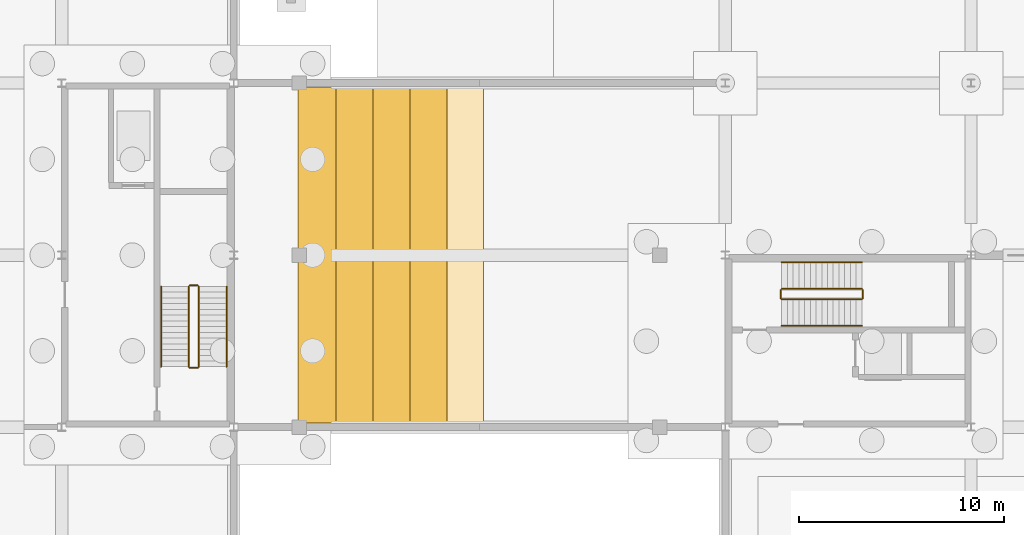
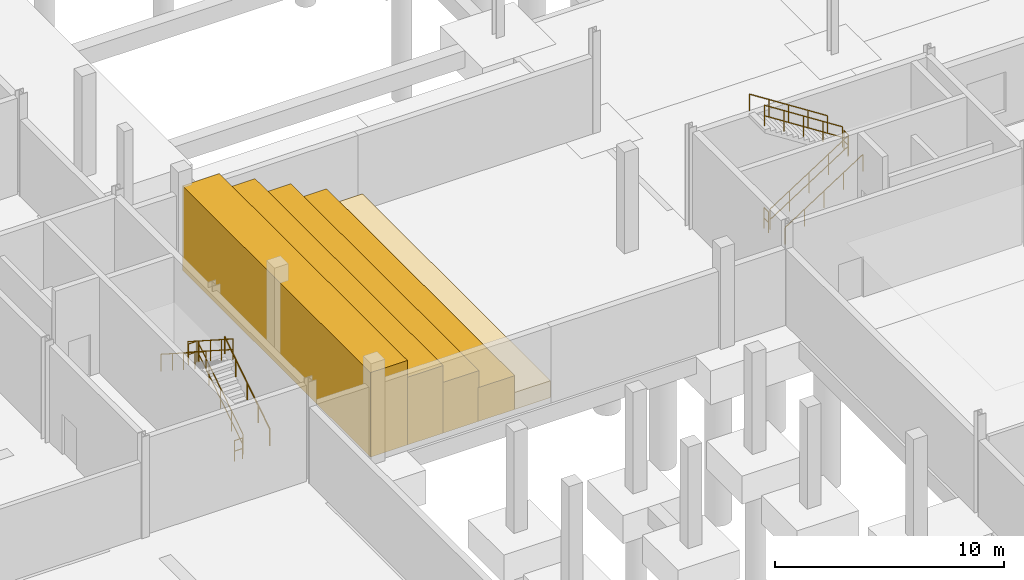
# One storey, part 32 of 36: 12 railings, 5 coverings.
"""IFC4 building model written with IfcOpenShell, lengths in metres."""

from ifc_helpers import new_model, si_unit, direction, frame, origin, origin_2d, place, context, subcontext, project, spatial, rectangle, circle, extrude, material, layer, layer_set, type_object, element, save


model = new_model("IFC4")

# Units and contexts
model_context = context("Model", 3, precision=1e-05, world=origin(), true_north=direction((0.0, 1.0)))
body_context = subcontext(model_context, "Body", "Model", "MODEL_VIEW")
ifc_project = project(units=[si_unit("LENGTHUNIT", "METRE"), si_unit("AREAUNIT", "SQUARE_METRE"), si_unit("VOLUMEUNIT", "CUBIC_METRE"), si_unit("PLANEANGLEUNIT", "RADIAN"), si_unit("MASSUNIT", "GRAM", prefix="KILO"), si_unit("THERMODYNAMICTEMPERATUREUNIT", "KELVIN"), si_unit("POWERUNIT", "WATT")], contexts=[model_context])

# Site, building, storey
site_placement = place(None, origin())
site = spatial("IfcSite", under=ifc_project, at=site_placement, CompositionType="ELEMENT")
building_placement = place(site_placement, origin())
building = spatial("IfcBuilding", under=site, at=building_placement, Name="Tembeka Court Mobility Hub", CompositionType="ELEMENT")
storey_placement = place(building_placement, frame((0.0, 0.0, -5.39990234375)))
storey = spatial("IfcBuildingStorey", under=building, at=storey_placement, Name="B1", CompositionType="ELEMENT", Elevation=-5.39990234375)

# Coverings
ifc_material_1 = material(Name="Honed Nairobi granite concourse flooring", Category="masonry")
ifc_layer = layer(ifc_material_1, 0.02001953125)
ifc_layer_set = layer_set([ifc_layer], Name="Honed Nairobi granite concourse flooring")
covering_type = type_object("IfcCoveringType", Name="COV-FL01", PredefinedType="FLOORING", material=ifc_layer_set)
covering_1_placement = place(storey_placement, frame((96.469970703125, 46.800048828125, 0.0), z_axis=(0.0, 0.0, 1.0), x_axis=(1.0, 0.0, 0.0)))
element("IfcCovering", 1, at=covering_1_placement, inside=storey, type_object=covering_type, Name="Sunken metro forecourt amphitheatre terrace tier CVF1-01", PredefinedType="FLOORING", context=body_context, shape_type="SweptSolid", body=[
    extrude(rectangle(XDim=1.860107421875, YDim=16.39990234375, at=origin_2d()), origin(), (0.0, 0.0, 1.0), 4.5),
])
covering_2_placement = place(storey_placement, frame((98.27001953125, 46.800048828125, -0.000244140625), z_axis=(0.0, 0.0, 1.0), x_axis=(1.0, 0.0, 0.0)))
element("IfcCovering", 2, at=covering_2_placement, inside=storey, type_object=covering_type, Name="Sunken metro forecourt amphitheatre terrace tier CVF1-02", PredefinedType="FLOORING", context=body_context, shape_type="SweptSolid", body=[
    extrude(rectangle(XDim=1.860107421875, YDim=16.39990234375, at=origin_2d()), origin(), (0.0, 0.0, 1.0), 3.60009765625),
])
covering_3_placement = place(storey_placement, frame((100.070068359375, 46.800048828125, 0.0), z_axis=(0.0, 0.0, 1.0), x_axis=(1.0, 0.0, 0.0)))
element("IfcCovering", 3, at=covering_3_placement, inside=storey, type_object=covering_type, Name="Sunken metro forecourt amphitheatre terrace tier CVF1-03", PredefinedType="FLOORING", context=body_context, shape_type="SweptSolid", body=[
    extrude(rectangle(XDim=1.860107421875, YDim=16.39990234375, at=origin_2d()), origin(), (0.0, 0.0, 1.0), 2.699951171875),
])
covering_4_placement = place(storey_placement, frame((101.8701171875, 46.800048828125, 0.0), z_axis=(0.0, 0.0, 1.0), x_axis=(1.0, 0.0, 0.0)))
element("IfcCovering", 4, at=covering_4_placement, inside=storey, type_object=covering_type, Name="Sunken metro forecourt amphitheatre terrace tier CVF1-04", PredefinedType="FLOORING", context=body_context, shape_type="SweptSolid", body=[
    extrude(rectangle(XDim=1.860107421875, YDim=16.39990234375, at=origin_2d()), origin(), (0.0, 0.0, 1.0), 1.800048828125),
])
covering_5_placement = place(storey_placement, frame((103.669921875, 46.800048828125, 0.0), z_axis=(0.0, 0.0, 1.0), x_axis=(1.0, 0.0, 0.0)))
element("IfcCovering", 5, at=covering_5_placement, inside=storey, type_object=covering_type, Name="Sunken metro forecourt amphitheatre terrace tier CVF1-05", PredefinedType="FLOORING", context=body_context, shape_type="SweptSolid", body=[
    extrude(rectangle(XDim=1.860107421875, YDim=16.39990234375, at=origin_2d()), origin(), (0.0, 0.0, 1.0), 0.89990234375),
])

# Railings
ifc_material_2 = material(Name="Painted galvanised steel balustrade", Category="steel")
railing_type_1 = type_object("IfcRailingType", Name="RL-GR01", PredefinedType="GUARDRAIL", material=ifc_material_2)
railing_1_placement = place(storey_placement, frame((90.699951171875, 41.35009765625, 0.179931640625)))
element("IfcRailing", 6, at=railing_1_placement, inside=storey, type_object=railing_type_1, Name="B1 ST04 stair guard 1-1", PredefinedType="GUARDRAIL", context=body_context, shape_type="SweptSolid", body=[
    extrude(circle(Radius=0.02392578125, at=origin_2d()), frame((0.0, 0.0, 1.09619140625), z_axis=(0.0, 0.841171666519, 0.540768182723), x_axis=(-1.0, 0.0, 0.0)), (0.0, 0.0, 1.0), 4.66015625),
    extrude(circle(Radius=0.02392578125, at=origin_2d()), frame((0.0, 0.0, 0.5361328125), z_axis=(0.0, 0.841171666519, 0.540768182723), x_axis=(-1.0, 0.0, 0.0)), (0.0, 0.0, 1.0), 4.66015625),
    extrude(circle(Radius=0.02099609375, at=origin_2d()), origin(), (0.0, 0.0, 1.0), 1.072021484375),
    extrude(circle(Radius=0.02099609375, at=origin_2d()), frame((0.0, 0.97998046875, 0.6298828125)), (0.0, 0.0, 1.0), 1.072021484375),
    extrude(circle(Radius=0.02099609375, at=origin_2d()), frame((0.0, 1.9599609375, 1.260009765625)), (0.0, 0.0, 1.0), 1.072021484375),
    extrude(circle(Radius=0.02099609375, at=origin_2d()), frame((0.0, 2.93994140625, 1.89013671875)), (0.0, 0.0, 1.0), 1.072021484375),
    extrude(circle(Radius=0.02099609375, at=origin_2d()), frame((0.0, 3.919921875, 2.52001953125)), (0.0, 0.0, 1.0), 1.072021484375),
])
railing_2_placement = place(storey_placement, frame((90.64990234375, 45.320068359375, 2.699951171875)))
element("IfcRailing", 7, at=railing_2_placement, inside=storey, type_object=railing_type_1, Name="B1 ST04 stair guard 2-1", PredefinedType="GUARDRAIL", context=body_context, shape_type="SweptSolid", body=[
    extrude(circle(Radius=0.02392578125, at=origin_2d()), frame((0.0, 0.0, 1.09619140625), z_axis=(-1.0, 0.0, 0.0), x_axis=(0.0, -1.0, 0.0)), (0.0, 0.0, 1.0), 0.39990234375),
    extrude(circle(Radius=0.02392578125, at=origin_2d()), frame((0.0, 0.0, 0.5361328125), z_axis=(-1.0, 0.0, 0.0), x_axis=(0.0, -1.0, 0.0)), (0.0, 0.0, 1.0), 0.39990234375),
    extrude(circle(Radius=0.02099609375, at=origin_2d()), origin(), (0.0, 0.0, 1.0), 1.072021484375),
    extrude(circle(Radius=0.02099609375, at=origin_2d()), frame((-0.39990234375, 0.0, 0.0)), (0.0, 0.0, 1.0), 1.072021484375),
])
railing_3_placement = place(storey_placement, frame((90.199951171875, 45.27001953125, 2.8798828125)))
element("IfcRailing", 8, at=railing_3_placement, inside=storey, type_object=railing_type_1, Name="B1 ST04 stair guard 3-1", PredefinedType="GUARDRAIL", context=body_context, shape_type="SweptSolid", body=[
    extrude(circle(Radius=0.02392578125, at=origin_2d()), frame((0.0, 0.0, 1.09619140625), z_axis=(0.0, -0.841171666519, 0.540768182723), x_axis=(1.0, 0.0, 0.0)), (0.0, 0.0, 1.0), 4.66015625),
    extrude(circle(Radius=0.02392578125, at=origin_2d()), frame((0.0, 0.0, 0.5361328125), z_axis=(0.0, -0.841171666519, 0.540768182723), x_axis=(1.0, 0.0, 0.0)), (0.0, 0.0, 1.0), 4.66015625),
    extrude(circle(Radius=0.02099609375, at=origin_2d()), origin(), (0.0, 0.0, 1.0), 1.072021484375),
    extrude(circle(Radius=0.02099609375, at=origin_2d()), frame((0.0, -0.97998046875, 0.6298828125)), (0.0, 0.0, 1.0), 1.072021484375),
    extrude(circle(Radius=0.02099609375, at=origin_2d()), frame((0.0, -1.9599609375, 1.260009765625)), (0.0, 0.0, 1.0), 1.072021484375),
    extrude(circle(Radius=0.02099609375, at=origin_2d()), frame((0.0, -2.93994140625, 1.89013671875)), (0.0, 0.0, 1.0), 1.072021484375),
    extrude(circle(Radius=0.02099609375, at=origin_2d()), frame((0.0, -3.919921875, 2.52001953125)), (0.0, 0.0, 1.0), 1.072021484375),
])
railing_4_placement = place(storey_placement, frame((90.64990234375, 41.300048828125, 0.0)))
element("IfcRailing", 9, at=railing_4_placement, inside=storey, type_object=railing_type_1, Name="B1 ST04 stair guard 4-1", PredefinedType="GUARDRAIL", context=body_context, shape_type="SweptSolid", body=[
    extrude(circle(Radius=0.02392578125, at=origin_2d()), frame((0.0, 0.0, 1.09619140625), z_axis=(-1.0, 0.0, 0.0), x_axis=(0.0, -1.0, 0.0)), (0.0, 0.0, 1.0), 0.39990234375),
    extrude(circle(Radius=0.02392578125, at=origin_2d()), frame((0.0, 0.0, 0.5361328125), z_axis=(-1.0, 0.0, 0.0), x_axis=(0.0, -1.0, 0.0)), (0.0, 0.0, 1.0), 0.39990234375),
    extrude(circle(Radius=0.02099609375, at=origin_2d()), origin(), (0.0, 0.0, 1.0), 1.072021484375),
    extrude(circle(Radius=0.02099609375, at=origin_2d()), frame((-0.39990234375, 0.0, 0.0)), (0.0, 0.0, 1.0), 1.072021484375),
])
railing_5_placement = place(storey_placement, frame((119.14990234375, 44.64990234375, 0.179931640625)))
element("IfcRailing", 10, at=railing_5_placement, inside=storey, type_object=railing_type_1, Name="B1 ST05 stair guard 1-1", PredefinedType="GUARDRAIL", context=body_context, shape_type="SweptSolid", body=[
    extrude(circle(Radius=0.02392578125, at=origin_2d()), frame((0.0, 0.0, 1.09619140625), z_axis=(0.841186985886, 0.0, 0.540744352514), x_axis=(0.0, 1.0, 0.0)), (0.0, 0.0, 1.0), 4.660400390625),
    extrude(circle(Radius=0.02392578125, at=origin_2d()), frame((0.0, 0.0, 0.5361328125), z_axis=(0.841186985886, 0.0, 0.540744352514), x_axis=(0.0, 1.0, 0.0)), (0.0, 0.0, 1.0), 4.660400390625),
    extrude(circle(Radius=0.02099609375, at=origin_2d()), origin(), (0.0, 0.0, 1.0), 1.072021484375),
    extrude(circle(Radius=0.02099609375, at=origin_2d()), frame((0.97998046875, 0.0, 0.6298828125)), (0.0, 0.0, 1.0), 1.072021484375),
    extrude(circle(Radius=0.02099609375, at=origin_2d()), frame((1.9599609375, 0.0, 1.260009765625)), (0.0, 0.0, 1.0), 1.072021484375),
    extrude(circle(Radius=0.02099609375, at=origin_2d()), frame((2.940185546875, 0.0, 1.89013671875)), (0.0, 0.0, 1.0), 1.072021484375),
    extrude(circle(Radius=0.02099609375, at=origin_2d()), frame((3.920166015625, 0.0, 2.52001953125)), (0.0, 0.0, 1.0), 1.072021484375),
])
railing_6_placement = place(storey_placement, frame((123.1201171875, 44.699951171875, 2.699951171875)))
element("IfcRailing", 11, at=railing_6_placement, inside=storey, type_object=railing_type_1, Name="B1 ST05 stair guard 2-1", PredefinedType="GUARDRAIL", context=body_context, shape_type="SweptSolid", body=[
    extrude(circle(Radius=0.02392578125, at=origin_2d()), frame((0.0, 0.0, 1.09619140625), z_axis=(0.0, 1.0, 0.0), x_axis=(-1.0, 0.0, 0.0)), (0.0, 0.0, 1.0), 0.400146484375),
    extrude(circle(Radius=0.02392578125, at=origin_2d()), frame((0.0, 0.0, 0.5361328125), z_axis=(0.0, 1.0, 0.0), x_axis=(-1.0, 0.0, 0.0)), (0.0, 0.0, 1.0), 0.400146484375),
    extrude(circle(Radius=0.02099609375, at=origin_2d()), origin(), (0.0, 0.0, 1.0), 1.072021484375),
    extrude(circle(Radius=0.02099609375, at=origin_2d()), frame((0.0, 0.400146484375, 0.0)), (0.0, 0.0, 1.0), 1.072021484375),
])
railing_7_placement = place(storey_placement, frame((123.070068359375, 45.14990234375, 2.8798828125)))
element("IfcRailing", 12, at=railing_7_placement, inside=storey, type_object=railing_type_1, Name="B1 ST05 stair guard 3-1", PredefinedType="GUARDRAIL", context=body_context, shape_type="SweptSolid", body=[
    extrude(circle(Radius=0.02392578125, at=origin_2d()), frame((0.0, 0.0, 1.09619140625), z_axis=(-0.841186985886, 0.0, 0.540744352514), x_axis=(0.0, -1.0, 0.0)), (0.0, 0.0, 1.0), 4.660400390625),
    extrude(circle(Radius=0.02392578125, at=origin_2d()), frame((0.0, 0.0, 0.5361328125), z_axis=(-0.841186985886, 0.0, 0.540744352514), x_axis=(0.0, -1.0, 0.0)), (0.0, 0.0, 1.0), 4.660400390625),
    extrude(circle(Radius=0.02099609375, at=origin_2d()), origin(), (0.0, 0.0, 1.0), 1.072021484375),
    extrude(circle(Radius=0.02099609375, at=origin_2d()), frame((-0.97998046875, 0.0, 0.6298828125)), (0.0, 0.0, 1.0), 1.072021484375),
    extrude(circle(Radius=0.02099609375, at=origin_2d()), frame((-1.9599609375, 0.0, 1.260009765625)), (0.0, 0.0, 1.0), 1.072021484375),
    extrude(circle(Radius=0.02099609375, at=origin_2d()), frame((-2.940185546875, 0.0, 1.89013671875)), (0.0, 0.0, 1.0), 1.072021484375),
    extrude(circle(Radius=0.02099609375, at=origin_2d()), frame((-3.920166015625, 0.0, 2.52001953125)), (0.0, 0.0, 1.0), 1.072021484375),
])
railing_8_placement = place(storey_placement, frame((119.10009765625, 44.699951171875, 0.0)))
element("IfcRailing", 13, at=railing_8_placement, inside=storey, type_object=railing_type_1, Name="B1 ST05 stair guard 4-1", PredefinedType="GUARDRAIL", context=body_context, shape_type="SweptSolid", body=[
    extrude(circle(Radius=0.02392578125, at=origin_2d()), frame((0.0, 0.0, 1.09619140625), z_axis=(0.0, 1.0, 0.0), x_axis=(-1.0, 0.0, 0.0)), (0.0, 0.0, 1.0), 0.400146484375),
    extrude(circle(Radius=0.02392578125, at=origin_2d()), frame((0.0, 0.0, 0.5361328125), z_axis=(0.0, 1.0, 0.0), x_axis=(-1.0, 0.0, 0.0)), (0.0, 0.0, 1.0), 0.400146484375),
    extrude(circle(Radius=0.02099609375, at=origin_2d()), origin(), (0.0, 0.0, 1.0), 1.072021484375),
    extrude(circle(Radius=0.02099609375, at=origin_2d()), frame((0.0, 0.400146484375, 0.0)), (0.0, 0.0, 1.0), 1.072021484375),
])
ifc_material_3 = material(Name="Brushed stainless steel handrail", Category="steel")
railing_type_2 = type_object("IfcRailingType", Name="RL-HR01", PredefinedType="HANDRAIL", material=ifc_material_3)
railing_9_placement = place(storey_placement, frame((92.050048828125, 41.35009765625, 0.179931640625)))
element("IfcRailing", 14, at=railing_9_placement, inside=storey, type_object=railing_type_2, Name="B1 ST04 handrail 1-1", PredefinedType="HANDRAIL", context=body_context, shape_type="SweptSolid", body=[
    extrude(circle(Radius=0.02392578125, at=origin_2d()), frame((0.0, 0.0, 0.89599609375), z_axis=(0.0, 0.841171666519, 0.540768182723), x_axis=(-1.0, 0.0, 0.0)), (0.0, 0.0, 1.0), 4.66015625),
    extrude(circle(Radius=0.02099609375, at=origin_2d()), origin(), (0.0, 0.0, 1.0), 0.871826171875),
    extrude(circle(Radius=0.02099609375, at=origin_2d()), frame((0.0, 0.97998046875, 0.6298828125)), (0.0, 0.0, 1.0), 0.871826171875),
    extrude(circle(Radius=0.02099609375, at=origin_2d()), frame((0.0, 1.9599609375, 1.260009765625)), (0.0, 0.0, 1.0), 0.871826171875),
    extrude(circle(Radius=0.02099609375, at=origin_2d()), frame((0.0, 2.93994140625, 1.89013671875)), (0.0, 0.0, 1.0), 0.871826171875),
    extrude(circle(Radius=0.02099609375, at=origin_2d()), frame((0.0, 3.919921875, 2.52001953125)), (0.0, 0.0, 1.0), 0.871826171875),
])
railing_10_placement = place(storey_placement, frame((88.85009765625, 45.27001953125, 2.8798828125)))
element("IfcRailing", 15, at=railing_10_placement, inside=storey, type_object=railing_type_2, Name="B1 ST04 handrail 2-1", PredefinedType="HANDRAIL", context=body_context, shape_type="SweptSolid", body=[
    extrude(circle(Radius=0.02392578125, at=origin_2d()), frame((0.0, 0.0, 0.89599609375), z_axis=(0.0, -0.841171666519, 0.540768182723), x_axis=(1.0, 0.0, 0.0)), (0.0, 0.0, 1.0), 4.66015625),
    extrude(circle(Radius=0.02099609375, at=origin_2d()), origin(), (0.0, 0.0, 1.0), 0.871826171875),
    extrude(circle(Radius=0.02099609375, at=origin_2d()), frame((0.0, -0.97998046875, 0.6298828125)), (0.0, 0.0, 1.0), 0.871826171875),
    extrude(circle(Radius=0.02099609375, at=origin_2d()), frame((0.0, -1.9599609375, 1.260009765625)), (0.0, 0.0, 1.0), 0.871826171875),
    extrude(circle(Radius=0.02099609375, at=origin_2d()), frame((0.0, -2.93994140625, 1.89013671875)), (0.0, 0.0, 1.0), 0.871826171875),
    extrude(circle(Radius=0.02099609375, at=origin_2d()), frame((0.0, -3.919921875, 2.52001953125)), (0.0, 0.0, 1.0), 0.871826171875),
])
railing_11_placement = place(storey_placement, frame((119.14990234375, 43.35009765625, 0.179931640625)))
element("IfcRailing", 16, at=railing_11_placement, inside=storey, type_object=railing_type_2, Name="B1 ST05 handrail 1-1", PredefinedType="HANDRAIL", context=body_context, shape_type="SweptSolid", body=[
    extrude(circle(Radius=0.02392578125, at=origin_2d()), frame((0.0, 0.0, 0.89599609375), z_axis=(0.841186985886, 0.0, 0.540744352514), x_axis=(0.0, 1.0, 0.0)), (0.0, 0.0, 1.0), 4.660400390625),
    extrude(circle(Radius=0.02099609375, at=origin_2d()), origin(), (0.0, 0.0, 1.0), 0.871826171875),
    extrude(circle(Radius=0.02099609375, at=origin_2d()), frame((0.97998046875, 0.0, 0.6298828125)), (0.0, 0.0, 1.0), 0.871826171875),
    extrude(circle(Radius=0.02099609375, at=origin_2d()), frame((1.9599609375, 0.0, 1.260009765625)), (0.0, 0.0, 1.0), 0.871826171875),
    extrude(circle(Radius=0.02099609375, at=origin_2d()), frame((2.940185546875, 0.0, 1.89013671875)), (0.0, 0.0, 1.0), 0.871826171875),
    extrude(circle(Radius=0.02099609375, at=origin_2d()), frame((3.920166015625, 0.0, 2.52001953125)), (0.0, 0.0, 1.0), 0.871826171875),
])
railing_12_placement = place(storey_placement, frame((123.070068359375, 46.449951171875, 2.8798828125)))
element("IfcRailing", 17, at=railing_12_placement, inside=storey, type_object=railing_type_2, Name="B1 ST05 handrail 2-1", PredefinedType="HANDRAIL", context=body_context, shape_type="SweptSolid", body=[
    extrude(circle(Radius=0.02392578125, at=origin_2d()), frame((0.0, 0.0, 0.89599609375), z_axis=(-0.841186985886, 0.0, 0.540744352514), x_axis=(0.0, -1.0, 0.0)), (0.0, 0.0, 1.0), 4.660400390625),
    extrude(circle(Radius=0.02099609375, at=origin_2d()), origin(), (0.0, 0.0, 1.0), 0.871826171875),
    extrude(circle(Radius=0.02099609375, at=origin_2d()), frame((-0.97998046875, 0.0, 0.6298828125)), (0.0, 0.0, 1.0), 0.871826171875),
    extrude(circle(Radius=0.02099609375, at=origin_2d()), frame((-1.9599609375, 0.0, 1.260009765625)), (0.0, 0.0, 1.0), 0.871826171875),
    extrude(circle(Radius=0.02099609375, at=origin_2d()), frame((-2.940185546875, 0.0, 1.89013671875)), (0.0, 0.0, 1.0), 0.871826171875),
    extrude(circle(Radius=0.02099609375, at=origin_2d()), frame((-3.920166015625, 0.0, 2.52001953125)), (0.0, 0.0, 1.0), 0.871826171875),
])

save(model, "model.ifc")
